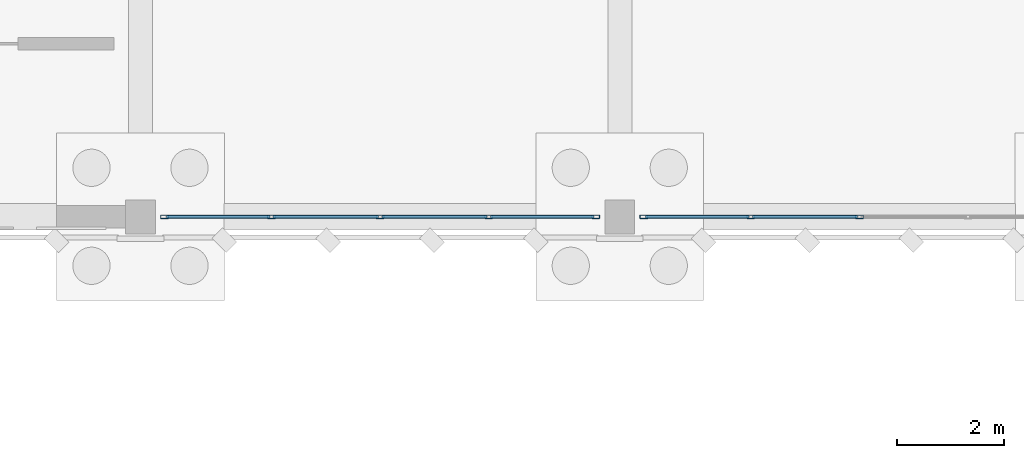
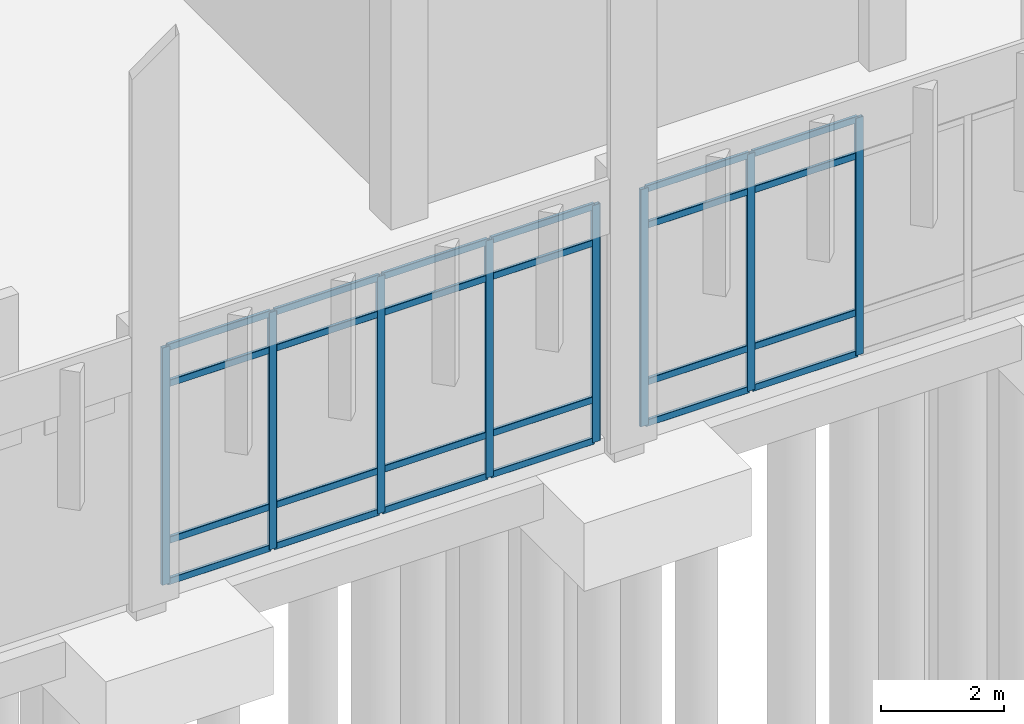
# One storey, part 55 of 109: 32 members, 2 elements without a shape of their own.
"""IFC4 building model written with IfcOpenShell, lengths in metres."""

from ifc_helpers import new_model, si_unit, direction, frame, origin, origin_2d, place, context, subcontext, project, spatial, hollow_rectangle, extrude, material, material_profile, profile_set, type_object, element, aggregate, save


model = new_model("IFC4")

# Units and contexts
model_context = context("Model", 3, precision=1e-05, world=origin(), true_north=direction((0.0, 1.0)))
body_context = subcontext(model_context, "Body", "Model", "MODEL_VIEW")
ifc_project = project(units=[si_unit("LENGTHUNIT", "METRE"), si_unit("AREAUNIT", "SQUARE_METRE"), si_unit("VOLUMEUNIT", "CUBIC_METRE"), si_unit("PLANEANGLEUNIT", "RADIAN"), si_unit("MASSUNIT", "GRAM", prefix="KILO")], contexts=[model_context])

# Site, building, storey
site_placement = place(None, origin())
site = spatial("IfcSite", under=ifc_project, at=site_placement, CompositionType="ELEMENT")
building_placement = place(site_placement, origin())
building = spatial("IfcBuilding", under=site, at=building_placement, Name="Lusvemor Sports Hall", CompositionType="ELEMENT")
storey_placement = place(building_placement, origin())
storey = spatial("IfcBuildingStorey", under=building, at=storey_placement, Name="L00", CompositionType="ELEMENT", Elevation=0.0)

# Curtain wall, members
ifc_material_1 = material(Name="Thermally broken bronze-anodized aluminium", Category="aluminium")
curtain_wall_type = type_object("IfcCurtainWallType", Name="CW_WING_B", PredefinedType="NOTDEFINED", material=ifc_material_1)
curtain_wall_1_placement = place(storey_placement, origin())
curtain_wall_1 = element("IfcCurtainWall", 1, at=curtain_wall_1_placement, inside=storey, type_object=curtain_wall_type, Name="Curtain Wall CW-L00-S-3-7", PredefinedType="NOTDEFINED")
ifc_material_2 = material(Name="Thermally broken bronze-anodized aluminium", Category="aluminium")
ifc_material_profile_1 = material_profile(ifc_material_2, hollow_rectangle(XDim=0.06494140625, YDim=0.14990234375, WallThickness=0.00390625, InnerFilletRadius=0.00390625, OuterFilletRadius=0.008056640625, at=origin_2d()), Name="CWMUL150x65x4")
ifc_profile_set_1 = profile_set([ifc_material_profile_1], Name="Thermally broken bronze-anodized aluminium")
member_type_1 = type_object("IfcMemberType", Name="CW_MUL_B", PredefinedType="MULLION", material=ifc_profile_set_1)
member_1_placement = place(storey_placement, frame((102.1474609375, 97.199951171875, 0.0), z_axis=(0.0, 0.0, 1.0), x_axis=(0.0, -1.0, 0.0)))
member_1 = element("IfcMember", 2, at=member_1_placement, type_object=member_type_1, Name="CW02 mullion 1", PredefinedType="MULLION", context=body_context, shape_type="SweptSolid", body=[
    extrude(hollow_rectangle(XDim=0.06494140625, YDim=0.14990234375, WallThickness=0.00390625, InnerFilletRadius=0.00390625, OuterFilletRadius=0.008056640625, at=origin_2d()), origin(), (0.0, 0.0, 1.0), 4.719970703125),
])
member_2_placement = place(storey_placement, frame((100.139892578125, 97.199951171875, 0.0), z_axis=(0.0, 0.0, 1.0), x_axis=(0.0, -1.0, 0.0)))
member_2 = element("IfcMember", 3, at=member_2_placement, type_object=member_type_1, Name="CW02 mullion 2", PredefinedType="MULLION", context=body_context, shape_type="SweptSolid", body=[
    extrude(hollow_rectangle(XDim=0.06494140625, YDim=0.14990234375, WallThickness=0.00390625, InnerFilletRadius=0.00390625, OuterFilletRadius=0.008056640625, at=origin_2d()), origin(), (0.0, 0.0, 1.0), 4.719970703125),
])
member_3_placement = place(storey_placement, frame((98.10009765625, 97.199951171875, 0.0), z_axis=(0.0, 0.0, 1.0), x_axis=(0.0, -1.0, 0.0)))
member_3 = element("IfcMember", 4, at=member_3_placement, type_object=member_type_1, Name="CW02 mullion 3", PredefinedType="MULLION", context=body_context, shape_type="SweptSolid", body=[
    extrude(hollow_rectangle(XDim=0.06494140625, YDim=0.14990234375, WallThickness=0.00390625, InnerFilletRadius=0.00390625, OuterFilletRadius=0.008056640625, at=origin_2d()), origin(), (0.0, 0.0, 1.0), 4.719970703125),
])
member_4_placement = place(storey_placement, frame((96.06005859375, 97.199951171875, 0.0), z_axis=(0.0, 0.0, 1.0), x_axis=(0.0, -1.0, 0.0)))
member_4 = element("IfcMember", 5, at=member_4_placement, type_object=member_type_1, Name="CW02 mullion 4", PredefinedType="MULLION", context=body_context, shape_type="SweptSolid", body=[
    extrude(hollow_rectangle(XDim=0.06494140625, YDim=0.14990234375, WallThickness=0.00390625, InnerFilletRadius=0.00390625, OuterFilletRadius=0.008056640625, at=origin_2d()), origin(), (0.0, 0.0, 1.0), 4.719970703125),
])
member_5_placement = place(storey_placement, frame((94.052490234375, 97.199951171875, 0.0), z_axis=(0.0, 0.0, 1.0), x_axis=(0.0, -1.0, 0.0)))
member_5 = element("IfcMember", 6, at=member_5_placement, type_object=member_type_1, Name="CW02 mullion 5", PredefinedType="MULLION", context=body_context, shape_type="SweptSolid", body=[
    extrude(hollow_rectangle(XDim=0.06494140625, YDim=0.14990234375, WallThickness=0.00390625, InnerFilletRadius=0.00390625, OuterFilletRadius=0.008056640625, at=origin_2d()), origin(), (0.0, 0.0, 1.0), 4.719970703125),
])

curtain_wall_2_placement = place(storey_placement, origin())
curtain_wall_2 = element("IfcCurtainWall", 7, at=curtain_wall_2_placement, inside=storey, type_object=curtain_wall_type, Name="Curtain Wall CW-L00-S-3-8", PredefinedType="NOTDEFINED")
member_6_placement = place(storey_placement, frame((107.10009765625, 97.199951171875, 0.0), z_axis=(0.0, 0.0, 1.0), x_axis=(0.0, -1.0, 0.0)))
member_6 = element("IfcMember", 8, at=member_6_placement, type_object=member_type_1, Name="CW02 mullion 3", PredefinedType="MULLION", context=body_context, shape_type="SweptSolid", body=[
    extrude(hollow_rectangle(XDim=0.06494140625, YDim=0.14990234375, WallThickness=0.00390625, InnerFilletRadius=0.00390625, OuterFilletRadius=0.008056640625, at=origin_2d()), origin(), (0.0, 0.0, 1.0), 4.719970703125),
])
member_7_placement = place(storey_placement, frame((105.06005859375, 97.199951171875, 0.0), z_axis=(0.0, 0.0, 1.0), x_axis=(0.0, -1.0, 0.0)))
member_7 = element("IfcMember", 9, at=member_7_placement, type_object=member_type_1, Name="CW02 mullion 4", PredefinedType="MULLION", context=body_context, shape_type="SweptSolid", body=[
    extrude(hollow_rectangle(XDim=0.06494140625, YDim=0.14990234375, WallThickness=0.00390625, InnerFilletRadius=0.00390625, OuterFilletRadius=0.008056640625, at=origin_2d()), origin(), (0.0, 0.0, 1.0), 4.719970703125),
])
member_8_placement = place(storey_placement, frame((103.052490234375, 97.199951171875, 0.0), z_axis=(0.0, 0.0, 1.0), x_axis=(0.0, -1.0, 0.0)))
member_8 = element("IfcMember", 10, at=member_8_placement, type_object=member_type_1, Name="CW02 mullion 5", PredefinedType="MULLION", context=body_context, shape_type="SweptSolid", body=[
    extrude(hollow_rectangle(XDim=0.06494140625, YDim=0.14990234375, WallThickness=0.00390625, InnerFilletRadius=0.00390625, OuterFilletRadius=0.008056640625, at=origin_2d()), origin(), (0.0, 0.0, 1.0), 4.719970703125),
])

# Member
ifc_material_3 = material(Name="Thermally broken bronze-anodized aluminium", Category="aluminium")
ifc_material_profile_2 = material_profile(ifc_material_3, hollow_rectangle(XDim=0.06005859375, YDim=0.135009765625, WallThickness=0.00390625, InnerFilletRadius=0.00390625, OuterFilletRadius=0.008056640625, at=origin_2d()), Name="CWTRN135x60x4")
ifc_profile_set_2 = profile_set([ifc_material_profile_2], Name="Thermally broken bronze-anodized aluminium")
member_type_2 = type_object("IfcMemberType", Name="CW_TRN_B", PredefinedType="USERDEFINED", material=ifc_profile_set_2)
member_9_placement = place(storey_placement, frame((102.114990234375, 97.199951171875, 0.030029296875), z_axis=(-1.0, 0.0, 0.0), x_axis=(0.0, -1.0, 0.0)))
member_9 = element("IfcMember", 11, at=member_9_placement, type_object=member_type_2, Name="CW02 transom 1.1", ObjectType="TRANSOM", PredefinedType="USERDEFINED", context=body_context, shape_type="SweptSolid", body=[
    extrude(hollow_rectangle(XDim=0.06005859375, YDim=0.135009765625, WallThickness=0.00390625, InnerFilletRadius=0.00390625, OuterFilletRadius=0.008056640625, at=origin_2d()), origin(), (0.0, 0.0, 1.0), 1.9423828125),
])

member_10_placement = place(storey_placement, frame((102.114990234375, 97.199951171875, 0.85009765625), z_axis=(-1.0, 0.0, 0.0), x_axis=(0.0, -1.0, 0.0)))
member_10 = element("IfcMember", 12, at=member_10_placement, type_object=member_type_2, Name="CW02 transom 1.2", ObjectType="TRANSOM", PredefinedType="USERDEFINED", context=body_context, shape_type="SweptSolid", body=[
    extrude(hollow_rectangle(XDim=0.06005859375, YDim=0.135009765625, WallThickness=0.00390625, InnerFilletRadius=0.00390625, OuterFilletRadius=0.008056640625, at=origin_2d()), origin(), (0.0, 0.0, 1.0), 1.9423828125),
])

member_11_placement = place(storey_placement, frame((102.114990234375, 97.199951171875, 3.969970703125), z_axis=(-1.0, 0.0, 0.0), x_axis=(0.0, -1.0, 0.0)))
member_11 = element("IfcMember", 13, at=member_11_placement, type_object=member_type_2, Name="CW02 transom 1.3", ObjectType="TRANSOM", PredefinedType="USERDEFINED", context=body_context, shape_type="SweptSolid", body=[
    extrude(hollow_rectangle(XDim=0.06005859375, YDim=0.135009765625, WallThickness=0.00390625, InnerFilletRadius=0.00390625, OuterFilletRadius=0.008056640625, at=origin_2d()), origin(), (0.0, 0.0, 1.0), 1.9423828125),
])

member_12_placement = place(storey_placement, frame((102.114990234375, 97.199951171875, 4.68994140625), z_axis=(-1.0, 0.0, 0.0), x_axis=(0.0, -1.0, 0.0)))
member_12 = element("IfcMember", 14, at=member_12_placement, type_object=member_type_2, Name="CW02 transom 1.4", ObjectType="TRANSOM", PredefinedType="USERDEFINED", context=body_context, shape_type="SweptSolid", body=[
    extrude(hollow_rectangle(XDim=0.06005859375, YDim=0.135009765625, WallThickness=0.00390625, InnerFilletRadius=0.00390625, OuterFilletRadius=0.008056640625, at=origin_2d()), origin(), (0.0, 0.0, 1.0), 1.9423828125),
])

member_13_placement = place(storey_placement, frame((100.107421875, 97.199951171875, 0.030029296875), z_axis=(-1.0, 0.0, 0.0), x_axis=(0.0, -1.0, 0.0)))
member_13 = element("IfcMember", 15, at=member_13_placement, type_object=member_type_2, Name="CW02 transom 2.1", ObjectType="TRANSOM", PredefinedType="USERDEFINED", context=body_context, shape_type="SweptSolid", body=[
    extrude(hollow_rectangle(XDim=0.06005859375, YDim=0.135009765625, WallThickness=0.00390625, InnerFilletRadius=0.00390625, OuterFilletRadius=0.008056640625, at=origin_2d()), origin(), (0.0, 0.0, 1.0), 1.974853515625),
])

member_14_placement = place(storey_placement, frame((100.107421875, 97.199951171875, 0.85009765625), z_axis=(-1.0, 0.0, 0.0), x_axis=(0.0, -1.0, 0.0)))
member_14 = element("IfcMember", 16, at=member_14_placement, type_object=member_type_2, Name="CW02 transom 2.2", ObjectType="TRANSOM", PredefinedType="USERDEFINED", context=body_context, shape_type="SweptSolid", body=[
    extrude(hollow_rectangle(XDim=0.06005859375, YDim=0.135009765625, WallThickness=0.00390625, InnerFilletRadius=0.00390625, OuterFilletRadius=0.008056640625, at=origin_2d()), origin(), (0.0, 0.0, 1.0), 1.974853515625),
])

member_15_placement = place(storey_placement, frame((100.107421875, 97.199951171875, 3.969970703125), z_axis=(-1.0, 0.0, 0.0), x_axis=(0.0, -1.0, 0.0)))
member_15 = element("IfcMember", 17, at=member_15_placement, type_object=member_type_2, Name="CW02 transom 2.3", ObjectType="TRANSOM", PredefinedType="USERDEFINED", context=body_context, shape_type="SweptSolid", body=[
    extrude(hollow_rectangle(XDim=0.06005859375, YDim=0.135009765625, WallThickness=0.00390625, InnerFilletRadius=0.00390625, OuterFilletRadius=0.008056640625, at=origin_2d()), origin(), (0.0, 0.0, 1.0), 1.974853515625),
])

member_16_placement = place(storey_placement, frame((100.107421875, 97.199951171875, 4.68994140625), z_axis=(-1.0, 0.0, 0.0), x_axis=(0.0, -1.0, 0.0)))
member_16 = element("IfcMember", 18, at=member_16_placement, type_object=member_type_2, Name="CW02 transom 2.4", ObjectType="TRANSOM", PredefinedType="USERDEFINED", context=body_context, shape_type="SweptSolid", body=[
    extrude(hollow_rectangle(XDim=0.06005859375, YDim=0.135009765625, WallThickness=0.00390625, InnerFilletRadius=0.00390625, OuterFilletRadius=0.008056640625, at=origin_2d()), origin(), (0.0, 0.0, 1.0), 1.974853515625),
])

member_17_placement = place(storey_placement, frame((98.0673828125, 97.199951171875, 0.030029296875), z_axis=(-1.0, 0.0, 0.0), x_axis=(0.0, -1.0, 0.0)))
member_17 = element("IfcMember", 19, at=member_17_placement, type_object=member_type_2, Name="CW02 transom 3.1", ObjectType="TRANSOM", PredefinedType="USERDEFINED", context=body_context, shape_type="SweptSolid", body=[
    extrude(hollow_rectangle(XDim=0.06005859375, YDim=0.135009765625, WallThickness=0.00390625, InnerFilletRadius=0.00390625, OuterFilletRadius=0.008056640625, at=origin_2d()), origin(), (0.0, 0.0, 1.0), 1.974853515625),
])

member_18_placement = place(storey_placement, frame((98.0673828125, 97.199951171875, 0.85009765625), z_axis=(-1.0, 0.0, 0.0), x_axis=(0.0, -1.0, 0.0)))
member_18 = element("IfcMember", 20, at=member_18_placement, type_object=member_type_2, Name="CW02 transom 3.2", ObjectType="TRANSOM", PredefinedType="USERDEFINED", context=body_context, shape_type="SweptSolid", body=[
    extrude(hollow_rectangle(XDim=0.06005859375, YDim=0.135009765625, WallThickness=0.00390625, InnerFilletRadius=0.00390625, OuterFilletRadius=0.008056640625, at=origin_2d()), origin(), (0.0, 0.0, 1.0), 1.974853515625),
])

member_19_placement = place(storey_placement, frame((98.0673828125, 97.199951171875, 3.969970703125), z_axis=(-1.0, 0.0, 0.0), x_axis=(0.0, -1.0, 0.0)))
member_19 = element("IfcMember", 21, at=member_19_placement, type_object=member_type_2, Name="CW02 transom 3.3", ObjectType="TRANSOM", PredefinedType="USERDEFINED", context=body_context, shape_type="SweptSolid", body=[
    extrude(hollow_rectangle(XDim=0.06005859375, YDim=0.135009765625, WallThickness=0.00390625, InnerFilletRadius=0.00390625, OuterFilletRadius=0.008056640625, at=origin_2d()), origin(), (0.0, 0.0, 1.0), 1.974853515625),
])

member_20_placement = place(storey_placement, frame((98.0673828125, 97.199951171875, 4.68994140625), z_axis=(-1.0, 0.0, 0.0), x_axis=(0.0, -1.0, 0.0)))
member_20 = element("IfcMember", 22, at=member_20_placement, type_object=member_type_2, Name="CW02 transom 3.4", ObjectType="TRANSOM", PredefinedType="USERDEFINED", context=body_context, shape_type="SweptSolid", body=[
    extrude(hollow_rectangle(XDim=0.06005859375, YDim=0.135009765625, WallThickness=0.00390625, InnerFilletRadius=0.00390625, OuterFilletRadius=0.008056640625, at=origin_2d()), origin(), (0.0, 0.0, 1.0), 1.974853515625),
])

member_21_placement = place(storey_placement, frame((96.027587890625, 97.199951171875, 0.030029296875), z_axis=(-1.0, 0.0, 0.0), x_axis=(0.0, -1.0, 0.0)))
member_21 = element("IfcMember", 23, at=member_21_placement, type_object=member_type_2, Name="CW02 transom 4.1", ObjectType="TRANSOM", PredefinedType="USERDEFINED", context=body_context, shape_type="SweptSolid", body=[
    extrude(hollow_rectangle(XDim=0.06005859375, YDim=0.135009765625, WallThickness=0.00390625, InnerFilletRadius=0.00390625, OuterFilletRadius=0.008056640625, at=origin_2d()), origin(), (0.0, 0.0, 1.0), 1.942626953125),
])

member_22_placement = place(storey_placement, frame((96.027587890625, 97.199951171875, 0.85009765625), z_axis=(-1.0, 0.0, 0.0), x_axis=(0.0, -1.0, 0.0)))
member_22 = element("IfcMember", 24, at=member_22_placement, type_object=member_type_2, Name="CW02 transom 4.2", ObjectType="TRANSOM", PredefinedType="USERDEFINED", context=body_context, shape_type="SweptSolid", body=[
    extrude(hollow_rectangle(XDim=0.06005859375, YDim=0.135009765625, WallThickness=0.00390625, InnerFilletRadius=0.00390625, OuterFilletRadius=0.008056640625, at=origin_2d()), origin(), (0.0, 0.0, 1.0), 1.942626953125),
])

member_23_placement = place(storey_placement, frame((96.027587890625, 97.199951171875, 3.969970703125), z_axis=(-1.0, 0.0, 0.0), x_axis=(0.0, -1.0, 0.0)))
member_23 = element("IfcMember", 25, at=member_23_placement, type_object=member_type_2, Name="CW02 transom 4.3", ObjectType="TRANSOM", PredefinedType="USERDEFINED", context=body_context, shape_type="SweptSolid", body=[
    extrude(hollow_rectangle(XDim=0.06005859375, YDim=0.135009765625, WallThickness=0.00390625, InnerFilletRadius=0.00390625, OuterFilletRadius=0.008056640625, at=origin_2d()), origin(), (0.0, 0.0, 1.0), 1.942626953125),
])

member_24_placement = place(storey_placement, frame((96.027587890625, 97.199951171875, 4.68994140625), z_axis=(-1.0, 0.0, 0.0), x_axis=(0.0, -1.0, 0.0)))
member_24 = element("IfcMember", 26, at=member_24_placement, type_object=member_type_2, Name="CW02 transom 4.4", ObjectType="TRANSOM", PredefinedType="USERDEFINED", context=body_context, shape_type="SweptSolid", body=[
    extrude(hollow_rectangle(XDim=0.06005859375, YDim=0.135009765625, WallThickness=0.00390625, InnerFilletRadius=0.00390625, OuterFilletRadius=0.008056640625, at=origin_2d()), origin(), (0.0, 0.0, 1.0), 1.942626953125),
])

aggregate(curtain_wall_1, [member_1, member_2, member_3, member_4, member_5, member_9, member_10, member_11, member_12, member_13, member_14, member_15, member_16, member_17, member_18, member_19, member_20, member_21, member_22, member_23, member_24])

member_25_placement = place(storey_placement, frame((107.0673828125, 97.199951171875, 0.030029296875), z_axis=(-1.0, 0.0, 0.0), x_axis=(0.0, -1.0, 0.0)))
member_25 = element("IfcMember", 27, at=member_25_placement, type_object=member_type_2, Name="CW02 transom 3.1", ObjectType="TRANSOM", PredefinedType="USERDEFINED", context=body_context, shape_type="SweptSolid", body=[
    extrude(hollow_rectangle(XDim=0.06005859375, YDim=0.135009765625, WallThickness=0.00390625, InnerFilletRadius=0.00390625, OuterFilletRadius=0.008056640625, at=origin_2d()), origin(), (0.0, 0.0, 1.0), 1.974853515625),
])

member_26_placement = place(storey_placement, frame((107.0673828125, 97.199951171875, 0.85009765625), z_axis=(-1.0, 0.0, 0.0), x_axis=(0.0, -1.0, 0.0)))
member_26 = element("IfcMember", 28, at=member_26_placement, type_object=member_type_2, Name="CW02 transom 3.2", ObjectType="TRANSOM", PredefinedType="USERDEFINED", context=body_context, shape_type="SweptSolid", body=[
    extrude(hollow_rectangle(XDim=0.06005859375, YDim=0.135009765625, WallThickness=0.00390625, InnerFilletRadius=0.00390625, OuterFilletRadius=0.008056640625, at=origin_2d()), origin(), (0.0, 0.0, 1.0), 1.974853515625),
])

member_27_placement = place(storey_placement, frame((107.0673828125, 97.199951171875, 3.969970703125), z_axis=(-1.0, 0.0, 0.0), x_axis=(0.0, -1.0, 0.0)))
member_27 = element("IfcMember", 29, at=member_27_placement, type_object=member_type_2, Name="CW02 transom 3.3", ObjectType="TRANSOM", PredefinedType="USERDEFINED", context=body_context, shape_type="SweptSolid", body=[
    extrude(hollow_rectangle(XDim=0.06005859375, YDim=0.135009765625, WallThickness=0.00390625, InnerFilletRadius=0.00390625, OuterFilletRadius=0.008056640625, at=origin_2d()), origin(), (0.0, 0.0, 1.0), 1.974853515625),
])

member_28_placement = place(storey_placement, frame((107.0673828125, 97.199951171875, 4.68994140625), z_axis=(-1.0, 0.0, 0.0), x_axis=(0.0, -1.0, 0.0)))
member_28 = element("IfcMember", 30, at=member_28_placement, type_object=member_type_2, Name="CW02 transom 3.4", ObjectType="TRANSOM", PredefinedType="USERDEFINED", context=body_context, shape_type="SweptSolid", body=[
    extrude(hollow_rectangle(XDim=0.06005859375, YDim=0.135009765625, WallThickness=0.00390625, InnerFilletRadius=0.00390625, OuterFilletRadius=0.008056640625, at=origin_2d()), origin(), (0.0, 0.0, 1.0), 1.974853515625),
])

member_29_placement = place(storey_placement, frame((105.027587890625, 97.199951171875, 0.030029296875), z_axis=(-1.0, 0.0, 0.0), x_axis=(0.0, -1.0, 0.0)))
member_29 = element("IfcMember", 31, at=member_29_placement, type_object=member_type_2, Name="CW02 transom 4.1", ObjectType="TRANSOM", PredefinedType="USERDEFINED", context=body_context, shape_type="SweptSolid", body=[
    extrude(hollow_rectangle(XDim=0.06005859375, YDim=0.135009765625, WallThickness=0.00390625, InnerFilletRadius=0.00390625, OuterFilletRadius=0.008056640625, at=origin_2d()), origin(), (0.0, 0.0, 1.0), 1.942626953125),
])

member_30_placement = place(storey_placement, frame((105.027587890625, 97.199951171875, 0.85009765625), z_axis=(-1.0, 0.0, 0.0), x_axis=(0.0, -1.0, 0.0)))
member_30 = element("IfcMember", 32, at=member_30_placement, type_object=member_type_2, Name="CW02 transom 4.2", ObjectType="TRANSOM", PredefinedType="USERDEFINED", context=body_context, shape_type="SweptSolid", body=[
    extrude(hollow_rectangle(XDim=0.06005859375, YDim=0.135009765625, WallThickness=0.00390625, InnerFilletRadius=0.00390625, OuterFilletRadius=0.008056640625, at=origin_2d()), origin(), (0.0, 0.0, 1.0), 1.942626953125),
])

member_31_placement = place(storey_placement, frame((105.027587890625, 97.199951171875, 3.969970703125), z_axis=(-1.0, 0.0, 0.0), x_axis=(0.0, -1.0, 0.0)))
member_31 = element("IfcMember", 33, at=member_31_placement, type_object=member_type_2, Name="CW02 transom 4.3", ObjectType="TRANSOM", PredefinedType="USERDEFINED", context=body_context, shape_type="SweptSolid", body=[
    extrude(hollow_rectangle(XDim=0.06005859375, YDim=0.135009765625, WallThickness=0.00390625, InnerFilletRadius=0.00390625, OuterFilletRadius=0.008056640625, at=origin_2d()), origin(), (0.0, 0.0, 1.0), 1.942626953125),
])

member_32_placement = place(storey_placement, frame((105.027587890625, 97.199951171875, 4.68994140625), z_axis=(-1.0, 0.0, 0.0), x_axis=(0.0, -1.0, 0.0)))
member_32 = element("IfcMember", 34, at=member_32_placement, type_object=member_type_2, Name="CW02 transom 4.4", ObjectType="TRANSOM", PredefinedType="USERDEFINED", context=body_context, shape_type="SweptSolid", body=[
    extrude(hollow_rectangle(XDim=0.06005859375, YDim=0.135009765625, WallThickness=0.00390625, InnerFilletRadius=0.00390625, OuterFilletRadius=0.008056640625, at=origin_2d()), origin(), (0.0, 0.0, 1.0), 1.942626953125),
])

aggregate(curtain_wall_2, [member_6, member_7, member_8, member_25, member_26, member_27, member_28, member_29, member_30, member_31, member_32])

save(model, "model.ifc")
